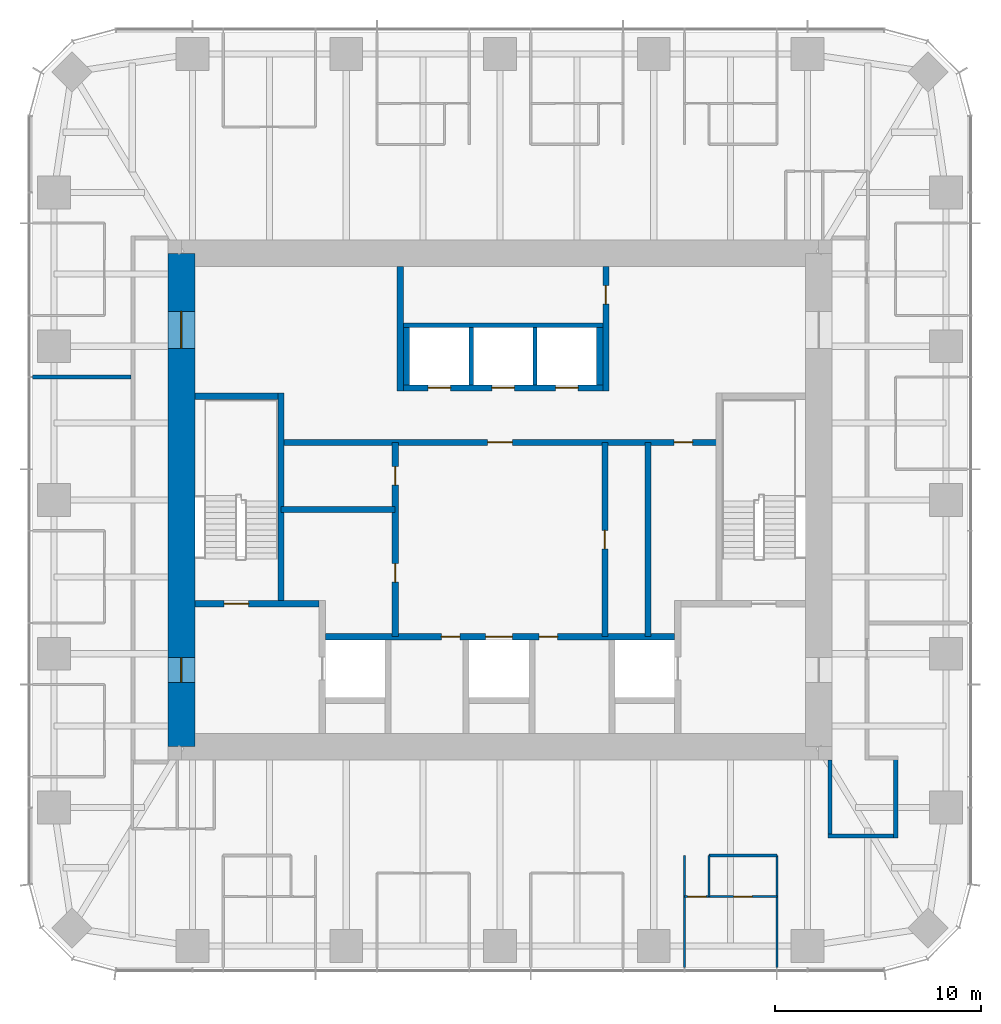
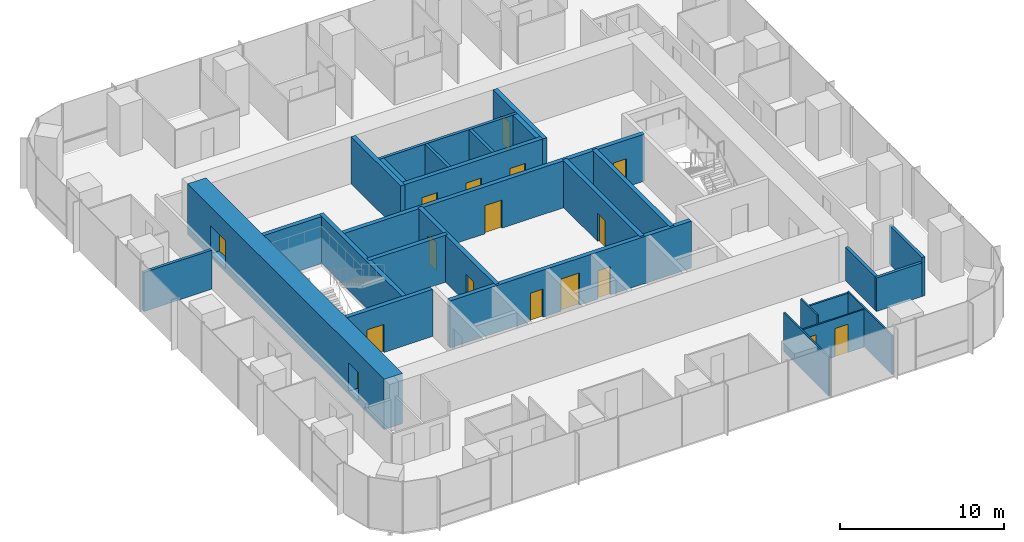
# One storey, part 9 of 12: 27 walls, 17 doors, 17 openings.
"""IFC4 building model written with IfcOpenShell, lengths in metres."""

from ifc_helpers import new_model, si_unit, direction, frame, frame_2d, origin, place, context, subcontext, project, spatial, rectangle, extrude, material, layer, layer_set, type_object, element, fill, save


model = new_model("IFC4")

# Units and contexts
model_context = context("Model", 3, precision=1e-05, world=origin(), true_north=direction((0.0, 1.0)))
body_context = subcontext(model_context, "Body", "Model", "MODEL_VIEW")
ifc_project = project(units=[si_unit("LENGTHUNIT", "METRE"), si_unit("AREAUNIT", "SQUARE_METRE"), si_unit("VOLUMEUNIT", "CUBIC_METRE"), si_unit("PLANEANGLEUNIT", "RADIAN"), si_unit("MASSUNIT", "GRAM", prefix="KILO")], contexts=[model_context])

# Site, building, storey
site_placement = place(None, origin())
site = spatial("IfcSite", under=ifc_project, at=site_placement, CompositionType="ELEMENT")
building_placement = place(site_placement, origin())
building = spatial("IfcBuilding", under=site, at=building_placement, Name="Khuree Lantern Residences", CompositionType="ELEMENT")
storey_placement = place(building_placement, frame((0.0, 0.0, 345.75)))
storey = spatial("IfcBuildingStorey", under=building, at=storey_placement, Name="L87", CompositionType="ELEMENT", Elevation=345.75)

# Wall
ifc_material_1 = material(Name="Moisture-resistant gypsum board on steel studs", Category="steel")
ifc_layer_1 = layer(ifc_material_1, 0.125)
ifc_layer_set_1 = layer_set([ifc_layer_1], Name="BATHROOM WALL BTW125")
wall_type_1 = type_object("IfcWallType", Name="BATHROOM WALL BTW125", PredefinedType="PARTITIONING", material=ifc_layer_set_1)
wall_1_placement = place(storey_placement, frame((10.176025390625, -17.29638671875, 0.0), z_axis=(0.0, 0.0, 1.0), x_axis=(1.0, 0.0, 0.0)))
element("IfcWall", 1, at=wall_1_placement, inside=storey, type_object=wall_type_1, Name="L87 BATHROOM WALL 02", PredefinedType="PARTITIONING", context=body_context, shape_type="SweptSolid", body=[
    extrude(rectangle(XDim=3.2880859375, YDim=0.125, at=frame_2d((1.64404296875, 0.0))), origin(), (0.0, 0.0, 1.0), 2.81005859375),
])

# Wall, openings, doors
ifc_material_2 = material(Name="Dense concrete blockwork", Category="masonry")
ifc_layer_2 = layer(ifc_material_2, 0.300048828125)
ifc_layer_set_2 = layer_set([ifc_layer_2], Name="CORE PARTITION WALL CPW300 EI 120")
wall_type_2 = type_object("IfcWallType", Name="CORE PARTITION WALL CPW300 EI 120", PredefinedType="PARTITIONING", material=ifc_layer_set_2)
wall_2_placement = place(storey_placement, frame((-8.5, -6.64990234375, 0.0), z_axis=(0.0, 0.0, 1.0), x_axis=(1.0, 0.0, 0.0)))
wall_2 = element("IfcWall", 2, at=wall_2_placement, inside=storey, type_object=wall_type_2, Name="L87 CORE WALL FLROW", PredefinedType="PARTITIONING", context=body_context, shape_type="SweptSolid", body=[
    extrude(rectangle(XDim=17.0, YDim=0.300048828125, at=frame_2d((8.5, 0.0))), origin(), (0.0, 0.0, 1.0), 3.5),
])
opening_1_placement = place(wall_2_placement, frame((7.800048828125, 0.0, 0.0)))
opening_1 = element("IfcOpeningElement", 3, at=opening_1_placement, cuts=wall_2, Name="Opening 87-012", PredefinedType="OPENING", context=body_context, shape_type="SweptSolid", body=[
    extrude(rectangle(XDim=1.300048828125, YDim=2.39990234375, at=frame_2d((0.64990234375, 1.199951171875))), frame((0.0, 0.16015625, 0.0), z_axis=(0.0, -1.0, 0.0), x_axis=(1.0, 0.0, 0.0)), (0.0, 0.0, 1.0), 0.320068359375),
])
opening_2_placement = place(wall_2_placement, frame((5.64990234375, 0.0, 0.0)))
opening_2 = element("IfcOpeningElement", 4, at=opening_2_placement, cuts=wall_2, Name="Opening 87-014", PredefinedType="OPENING", context=body_context, shape_type="SweptSolid", body=[
    extrude(rectangle(XDim=0.89990234375, YDim=2.10009765625, at=frame_2d((0.449951171875, 1.050048828125))), frame((0.0, 0.16015625, 0.0), z_axis=(0.0, -1.0, 0.0), x_axis=(1.0, 0.0, 0.0)), (0.0, 0.0, 1.0), 0.320068359375),
])
opening_3_placement = place(wall_2_placement, frame((10.39990234375, 0.0, 0.0)))
opening_3 = element("IfcOpeningElement", 5, at=opening_3_placement, cuts=wall_2, Name="Opening 87-015", PredefinedType="OPENING", context=body_context, shape_type="SweptSolid", body=[
    extrude(rectangle(XDim=0.89990234375, YDim=2.10009765625, at=frame_2d((0.449951171875, 1.050048828125))), frame((0.0, 0.16015625, 0.0), z_axis=(0.0, -1.0, 0.0), x_axis=(1.0, 0.0, 0.0)), (0.0, 0.0, 1.0), 0.320068359375),
])
ifc_material_3 = material(Name="Steel door leaf in steel frame", Category="steel")
door_type_1 = type_object("IfcDoorType", Name="DOOR 900X2100 EI 60", OperationType="SINGLE_SWING_LEFT", PredefinedType="DOOR", material=ifc_material_3)
door_1_placement = place(opening_2_placement, origin())
door_1 = element("IfcDoor", 6, at=door_1_placement, inside=storey, type_object=door_type_1, Name="Refuse chute room door 87-014", OperationType="SINGLE_SWING_LEFT", OverallHeight=2.10009765625, OverallWidth=0.89990234375, PredefinedType="DOOR", context=body_context, shape_type="SweptSolid", body=[
    extrude(rectangle(XDim=0.89990234375, YDim=2.10009765625, at=frame_2d((0.449951171875, 1.050048828125))), frame((0.0, 0.02490234375, 0.0), z_axis=(0.0, -1.0, 0.0), x_axis=(1.0, 0.0, 0.0)), (0.0, 0.0, 1.0), 0.050048828125),
])
fill(opening_2, door_1)
door_type_2 = type_object("IfcDoorType", Name="DOOR 900X2100 EI 60 RIGHT HAND", OperationType="SINGLE_SWING_RIGHT", PredefinedType="DOOR", material=ifc_material_3)
door_2_placement = place(opening_3_placement, origin())
door_2 = element("IfcDoor", 7, at=door_2_placement, inside=storey, type_object=door_type_2, Name="Electrical and plumbing riser door 87-015", OperationType="SINGLE_SWING_RIGHT", OverallHeight=2.10009765625, OverallWidth=0.89990234375, PredefinedType="DOOR", context=body_context, shape_type="SweptSolid", body=[
    extrude(rectangle(XDim=0.89990234375, YDim=2.10009765625, at=frame_2d((0.449951171875, 1.050048828125))), frame((0.0, 0.02490234375, 0.0), z_axis=(0.0, -1.0, 0.0), x_axis=(1.0, 0.0, 0.0)), (0.0, 0.0, 1.0), 0.050048828125),
])
fill(opening_3, door_2)
ifc_material_4 = material(Name="Stainless steel lift landing door", Category="steel")
door_type_3 = type_object("IfcDoorType", Name="LIFT LANDING DOOR 1300X2400 E 60", OperationType="DOUBLE_DOOR_SLIDING", PredefinedType="DOOR", material=ifc_material_4)
door_3_placement = place(opening_1_placement, origin())
door_3 = element("IfcDoor", 8, at=door_3_placement, inside=storey, type_object=door_type_3, Name="Landing door SL1 87-012", OperationType="DOUBLE_DOOR_SLIDING", OverallHeight=2.39990234375, OverallWidth=1.300048828125, PredefinedType="DOOR", context=body_context, shape_type="SweptSolid", body=[
    extrude(rectangle(XDim=1.300048828125, YDim=2.39990234375, at=frame_2d((0.64990234375, 1.199951171875))), frame((0.0, 0.02490234375, 0.0), z_axis=(0.0, -1.0, 0.0), x_axis=(1.0, 0.0, 0.0)), (0.0, 0.0, 1.0), 0.050048828125),
])
fill(opening_1, door_3)

wall_3_placement = place(storey_placement, frame((-4.699951171875, 5.449951171875, 0.0), z_axis=(0.0, 0.0, 1.0), x_axis=(1.0, 0.0, 0.0)))
wall_3 = element("IfcWall", 9, at=wall_3_placement, inside=storey, type_object=wall_type_2, Name="L87 CORE WALL PHS", PredefinedType="PARTITIONING", context=body_context, shape_type="SweptSolid", body=[
    extrude(rectangle(XDim=9.699951171875, YDim=0.300048828125, at=frame_2d((4.85009765625, 0.0))), origin(), (0.0, 0.0, 1.0), 3.5),
])
opening_4_placement = place(wall_3_placement, frame((1.199951171875, 0.0, 0.0)))
opening_4 = element("IfcOpeningElement", 10, at=opening_4_placement, cuts=wall_3, Name="Opening 87-009", PredefinedType="OPENING", context=body_context, shape_type="SweptSolid", body=[
    extrude(rectangle(XDim=1.10009765625, YDim=2.10009765625, at=frame_2d((0.550048828125, 1.050048828125))), frame((0.0, 0.16015625, 0.0), z_axis=(0.0, -1.0, 0.0), x_axis=(1.0, 0.0, 0.0)), (0.0, 0.0, 1.0), 0.320068359375),
])
opening_5_placement = place(wall_3_placement, frame((4.300048828125, 0.0, 0.0)))
opening_5 = element("IfcOpeningElement", 11, at=opening_5_placement, cuts=wall_3, Name="Opening 87-010", PredefinedType="OPENING", context=body_context, shape_type="SweptSolid", body=[
    extrude(rectangle(XDim=1.10009765625, YDim=2.10009765625, at=frame_2d((0.550048828125, 1.050048828125))), frame((0.0, 0.16015625, 0.0), z_axis=(0.0, -1.0, 0.0), x_axis=(1.0, 0.0, 0.0)), (0.0, 0.0, 1.0), 0.320068359375),
])
opening_6_placement = place(wall_3_placement, frame((7.39990234375, 0.0, 0.0)))
opening_6 = element("IfcOpeningElement", 12, at=opening_6_placement, cuts=wall_3, Name="Opening 87-011", PredefinedType="OPENING", context=body_context, shape_type="SweptSolid", body=[
    extrude(rectangle(XDim=1.10009765625, YDim=2.10009765625, at=frame_2d((0.550048828125, 1.050048828125))), frame((0.0, 0.16015625, 0.0), z_axis=(0.0, -1.0, 0.0), x_axis=(1.0, 0.0, 0.0)), (0.0, 0.0, 1.0), 0.320068359375),
])
door_type_4 = type_object("IfcDoorType", Name="LIFT LANDING DOOR 1100X2100 E 60", OperationType="DOUBLE_DOOR_SLIDING", PredefinedType="DOOR", material=ifc_material_4)
door_4_placement = place(opening_4_placement, origin())
door_4 = element("IfcDoor", 13, at=door_4_placement, inside=storey, type_object=door_type_4, Name="Landing door PH1 87-009", OperationType="DOUBLE_DOOR_SLIDING", OverallHeight=2.10009765625, OverallWidth=1.10009765625, PredefinedType="DOOR", context=body_context, shape_type="SweptSolid", body=[
    extrude(rectangle(XDim=1.10009765625, YDim=2.10009765625, at=frame_2d((0.550048828125, 1.050048828125))), frame((0.0, 0.02490234375, 0.0), z_axis=(0.0, -1.0, 0.0), x_axis=(1.0, 0.0, 0.0)), (0.0, 0.0, 1.0), 0.050048828125),
])
fill(opening_4, door_4)
door_5_placement = place(opening_5_placement, origin())
door_5 = element("IfcDoor", 14, at=door_5_placement, inside=storey, type_object=door_type_4, Name="Landing door PH2 87-010", OperationType="DOUBLE_DOOR_SLIDING", OverallHeight=2.10009765625, OverallWidth=1.10009765625, PredefinedType="DOOR", context=body_context, shape_type="SweptSolid", body=[
    extrude(rectangle(XDim=1.10009765625, YDim=2.10009765625, at=frame_2d((0.550048828125, 1.050048828125))), frame((0.0, 0.02490234375, 0.0), z_axis=(0.0, -1.0, 0.0), x_axis=(1.0, 0.0, 0.0)), (0.0, 0.0, 1.0), 0.050048828125),
])
fill(opening_5, door_5)
door_6_placement = place(opening_6_placement, origin())
door_6 = element("IfcDoor", 15, at=door_6_placement, inside=storey, type_object=door_type_4, Name="Landing door PH3 87-011", OperationType="DOUBLE_DOOR_SLIDING", OverallHeight=2.10009765625, OverallWidth=1.10009765625, PredefinedType="DOOR", context=body_context, shape_type="SweptSolid", body=[
    extrude(rectangle(XDim=1.10009765625, YDim=2.10009765625, at=frame_2d((0.550048828125, 1.050048828125))), frame((0.0, 0.02490234375, 0.0), z_axis=(0.0, -1.0, 0.0), x_axis=(1.0, 0.0, 0.0)), (0.0, 0.0, 1.0), 0.050048828125),
])
fill(opening_6, door_6)

# Walls
for number, where, z_axis, x_axis, name in (
    (16, (-4.550048828125, 5.60009765625, 0.0), (0.0, 0.0, 1.0), (0.0, 1.0, 0.0), "L87 CORE WALL PHW"),
    (17, (4.85009765625, 5.60009765625, 0.0), (0.0, 0.0, 1.0), (0.0, 1.0, 0.0), "L87 CORE WALL PHE"),
):
    element("IfcWall", number, at=place(storey_placement, frame(where, z_axis=z_axis, x_axis=x_axis)), inside=storey, type_object=wall_type_2, Name=name, PredefinedType="PARTITIONING", context=body_context, shape_type="SweptSolid", body=[
        extrude(rectangle(XDim=2.7998046875, YDim=0.300048828125, at=frame_2d((1.39990234375, 0.0))), origin(), (0.0, 0.0, 1.0), 3.5),
    ])

# Wall, openings, doors
wall_4_placement = place(storey_placement, frame((-10.64990234375, 2.800048828125, 0.0), z_axis=(0.0, 0.0, 1.0), x_axis=(1.0, 0.0, 0.0)))
wall_4 = element("IfcWall", 18, at=wall_4_placement, inside=storey, type_object=wall_type_2, Name="L87 CORE WALL LLS", PredefinedType="PARTITIONING", context=body_context, shape_type="SweptSolid", body=[
    extrude(rectangle(XDim=21.2998046875, YDim=0.300048828125, at=frame_2d((10.64990234375, 0.0))), origin(), (0.0, 0.0, 1.0), 3.5),
])
opening_7_placement = place(wall_4_placement, frame((10.050048828125, 0.0, 0.0)))
opening_7 = element("IfcOpeningElement", 19, at=opening_7_placement, cuts=wall_4, Name="Opening 87-013", PredefinedType="OPENING", context=body_context, shape_type="SweptSolid", body=[
    extrude(rectangle(XDim=1.199951171875, YDim=2.10009765625, at=frame_2d((0.60009765625, 1.050048828125))), frame((0.0, 0.16015625, 0.0), z_axis=(0.0, -1.0, 0.0), x_axis=(1.0, 0.0, 0.0)), (0.0, 0.0, 1.0), 0.320068359375),
])
opening_8_placement = place(wall_4_placement, frame((19.12109375, 0.0, 0.0)))
opening_8 = element("IfcOpeningElement", 20, at=opening_8_placement, cuts=wall_4, Name="Opening 87-019", PredefinedType="OPENING", context=body_context, shape_type="SweptSolid", body=[
    extrude(rectangle(XDim=0.89990234375, YDim=2.10009765625, at=frame_2d((0.449951171875, 1.050048828125))), frame((0.0, 0.16015625, 0.0), z_axis=(0.0, -1.0, 0.0), x_axis=(1.0, 0.0, 0.0)), (0.0, 0.0, 1.0), 0.320068359375),
])
door_type_5 = type_object("IfcDoorType", Name="DOOR 1200X2100 EI 60", OperationType="SINGLE_SWING_LEFT", PredefinedType="DOOR", material=ifc_material_3)
door_7_placement = place(opening_7_placement, origin())
door_7 = element("IfcDoor", 21, at=door_7_placement, inside=storey, type_object=door_type_5, Name="Service lift lobby door 87-013", OperationType="SINGLE_SWING_LEFT", OverallHeight=2.10009765625, OverallWidth=1.199951171875, PredefinedType="DOOR", context=body_context, shape_type="SweptSolid", body=[
    extrude(rectangle(XDim=1.199951171875, YDim=2.10009765625, at=frame_2d((0.60009765625, 1.050048828125))), frame((0.0, 0.02490234375, 0.0), z_axis=(0.0, -1.0, 0.0), x_axis=(1.0, 0.0, 0.0)), (0.0, 0.0, 1.0), 0.050048828125),
])
fill(opening_7, door_7)
ifc_material_5 = material(Name="Timber door leaf in hardwood frame", Category="wood")
door_type_6 = type_object("IfcDoorType", Name="DOOR 900X2100 RIGHT HAND", OperationType="SINGLE_SWING_RIGHT", PredefinedType="DOOR", material=ifc_material_5)
door_8_placement = place(opening_8_placement, origin())
door_8 = element("IfcDoor", 22, at=door_8_placement, inside=storey, type_object=door_type_6, Name="Residents' store door 87-019", OperationType="SINGLE_SWING_RIGHT", OverallHeight=2.10009765625, OverallWidth=0.89990234375, PredefinedType="DOOR", context=body_context, shape_type="SweptSolid", body=[
    extrude(rectangle(XDim=0.89990234375, YDim=2.10009765625, at=frame_2d((0.449951171875, 1.050048828125))), frame((0.0, 0.02490234375, 0.0), z_axis=(0.0, -1.0, 0.0), x_axis=(1.0, 0.0, 0.0)), (0.0, 0.0, 1.0), 0.050048828125),
])
fill(opening_8, door_8)

wall_5_placement = place(storey_placement, frame((-5.10009765625, -6.64990234375, 0.0), z_axis=(0.0, 0.0, 1.0), x_axis=(0.0, 1.0, 0.0)))
wall_5 = element("IfcWall", 23, at=wall_5_placement, inside=storey, type_object=wall_type_2, Name="L87 CORE WALL SVW", PredefinedType="PARTITIONING", context=body_context, shape_type="SweptSolid", body=[
    extrude(rectangle(XDim=9.449951171875, YDim=0.300048828125, at=frame_2d((4.72509765625, 0.0))), origin(), (0.0, 0.0, 1.0), 3.5),
])
opening_9_placement = place(wall_5_placement, frame((2.64794921875, 0.0, 0.0)))
opening_9 = element("IfcOpeningElement", 24, at=opening_9_placement, cuts=wall_5, Name="Opening 87-016", PredefinedType="OPENING", context=body_context, shape_type="SweptSolid", body=[
    extrude(rectangle(XDim=0.89990234375, YDim=2.10009765625, at=frame_2d((0.449951171875, 1.050048828125))), frame((0.0, 0.16015625, 0.0), z_axis=(0.0, -1.0, 0.0), x_axis=(1.0, 0.0, 0.0)), (0.0, 0.0, 1.0), 0.320068359375),
])
opening_10_placement = place(wall_5_placement, frame((7.373046875, 0.0, 0.0)))
opening_10 = element("IfcOpeningElement", 25, at=opening_10_placement, cuts=wall_5, Name="Opening 87-017", PredefinedType="OPENING", context=body_context, shape_type="SweptSolid", body=[
    extrude(rectangle(XDim=0.89990234375, YDim=2.10009765625, at=frame_2d((0.449951171875, 1.050048828125))), frame((0.0, 0.16015625, 0.0), z_axis=(0.0, -1.0, 0.0), x_axis=(1.0, 0.0, 0.0)), (0.0, 0.0, 1.0), 0.320068359375),
])
door_type_7 = type_object("IfcDoorType", Name="DOOR 900X2100", OperationType="SINGLE_SWING_LEFT", PredefinedType="DOOR", material=ifc_material_5)
door_9_placement = place(opening_9_placement, origin())
door_9 = element("IfcDoor", 26, at=door_9_placement, inside=storey, type_object=door_type_7, Name="Residents' store door 87-016", OperationType="SINGLE_SWING_LEFT", OverallHeight=2.10009765625, OverallWidth=0.89990234375, PredefinedType="DOOR", context=body_context, shape_type="SweptSolid", body=[
    extrude(rectangle(XDim=0.89990234375, YDim=2.10009765625, at=frame_2d((0.449951171875, 1.050048828125))), frame((0.0, 0.02490234375, 0.0), z_axis=(0.0, -1.0, 0.0), x_axis=(1.0, 0.0, 0.0)), (0.0, 0.0, 1.0), 0.050048828125),
])
fill(opening_9, door_9)
door_10_placement = place(opening_10_placement, origin())
door_10 = element("IfcDoor", 27, at=door_10_placement, inside=storey, type_object=door_type_7, Name="Parcel room door 87-017", OperationType="SINGLE_SWING_LEFT", OverallHeight=2.10009765625, OverallWidth=0.89990234375, PredefinedType="DOOR", context=body_context, shape_type="SweptSolid", body=[
    extrude(rectangle(XDim=0.89990234375, YDim=2.10009765625, at=frame_2d((0.449951171875, 1.050048828125))), frame((0.0, 0.02490234375, 0.0), z_axis=(0.0, -1.0, 0.0), x_axis=(1.0, 0.0, 0.0)), (0.0, 0.0, 1.0), 0.050048828125),
])
fill(opening_10, door_10)

# Wall, opening, door
wall_6_placement = place(storey_placement, frame((5.10009765625, -6.64990234375, 0.0), z_axis=(0.0, 0.0, 1.0), x_axis=(0.0, 1.0, 0.0)))
wall_6 = element("IfcWall", 28, at=wall_6_placement, inside=storey, type_object=wall_type_2, Name="L87 CORE WALL SVE", PredefinedType="PARTITIONING", context=body_context, shape_type="SweptSolid", body=[
    extrude(rectangle(XDim=9.449951171875, YDim=0.300048828125, at=frame_2d((4.72509765625, 0.0))), origin(), (0.0, 0.0, 1.0), 3.5),
])
opening_11_placement = place(wall_6_placement, frame((4.27490234375, 0.0, 0.0)))
opening_11 = element("IfcOpeningElement", 29, at=opening_11_placement, cuts=wall_6, Name="Opening 87-018", PredefinedType="OPENING", context=body_context, shape_type="SweptSolid", body=[
    extrude(rectangle(XDim=0.89990234375, YDim=2.10009765625, at=frame_2d((0.449951171875, 1.050048828125))), frame((0.0, 0.16015625, 0.0), z_axis=(0.0, -1.0, 0.0), x_axis=(1.0, 0.0, 0.0)), (0.0, 0.0, 1.0), 0.320068359375),
])
door_11_placement = place(opening_11_placement, origin())
door_11 = element("IfcDoor", 30, at=door_11_placement, inside=storey, type_object=door_type_7, Name="Bulky waste store door 87-018", OperationType="SINGLE_SWING_LEFT", OverallHeight=2.10009765625, OverallWidth=0.89990234375, PredefinedType="DOOR", context=body_context, shape_type="SweptSolid", body=[
    extrude(rectangle(XDim=0.89990234375, YDim=2.10009765625, at=frame_2d((0.449951171875, 1.050048828125))), frame((0.0, 0.02490234375, 0.0), z_axis=(0.0, -1.0, 0.0), x_axis=(1.0, 0.0, 0.0)), (0.0, 0.0, 1.0), 0.050048828125),
])
fill(opening_11, door_11)

# Walls
wall_7_placement = place(storey_placement, frame((-10.64990234375, -0.455078125, 0.0), z_axis=(0.0, 0.0, 1.0), x_axis=(1.0, 0.0, 0.0)))
element("IfcWall", 31, at=wall_7_placement, inside=storey, type_object=wall_type_2, Name="L87 CORE WALL WX", PredefinedType="PARTITIONING", context=body_context, shape_type="SweptSolid", body=[
    extrude(rectangle(XDim=5.5498046875, YDim=0.300048828125, at=frame_2d((2.77490234375, 0.0))), origin(), (0.0, 0.0, 1.0), 3.5),
])
wall_8_placement = place(storey_placement, frame((7.193115234375, -6.64990234375, 0.0), z_axis=(0.0, 0.0, 1.0), x_axis=(0.0, 1.0, 0.0)))
element("IfcWall", 32, at=wall_8_placement, inside=storey, type_object=wall_type_2, Name="L87 CORE WALL EV", PredefinedType="PARTITIONING", context=body_context, shape_type="SweptSolid", body=[
    extrude(rectangle(XDim=9.449951171875, YDim=0.300048828125, at=frame_2d((4.72509765625, 0.0))), origin(), (0.0, 0.0, 1.0), 3.5),
])
wall_9_placement = place(storey_placement, frame((-4.85009765625, 5.300048828125, 0.0), z_axis=(0.0, 0.0, 1.0), x_axis=(0.0, 1.0, 0.0)))
element("IfcWall", 33, at=wall_9_placement, inside=storey, type_object=wall_type_2, Name="L87 CORE WALL NW", PredefinedType="PARTITIONING", context=body_context, shape_type="SweptSolid", body=[
    extrude(rectangle(XDim=6.050048828125, YDim=0.300048828125, at=frame_2d((3.02490234375, 0.0))), origin(), (0.0, 0.0, 1.0), 3.5),
])

# Wall, opening, door
wall_10_placement = place(storey_placement, frame((5.14990234375, 5.300048828125, 0.0), z_axis=(0.0, 0.0, 1.0), x_axis=(0.0, 1.0, 0.0)))
wall_10 = element("IfcWall", 34, at=wall_10_placement, inside=storey, type_object=wall_type_2, Name="L87 CORE WALL NE", PredefinedType="PARTITIONING", context=body_context, shape_type="SweptSolid", body=[
    extrude(rectangle(XDim=6.050048828125, YDim=0.300048828125, at=frame_2d((3.02490234375, 0.0))), origin(), (0.0, 0.0, 1.0), 3.5),
])
opening_12_placement = place(wall_10_placement, frame((4.22509765625, 0.0, 0.0)))
opening_12 = element("IfcOpeningElement", 35, at=opening_12_placement, cuts=wall_10, Name="Opening 87-020", PredefinedType="OPENING", context=body_context, shape_type="SweptSolid", body=[
    extrude(rectangle(XDim=0.89990234375, YDim=2.10009765625, at=frame_2d((0.449951171875, 1.050048828125))), frame((0.0, 0.16015625, 0.0), z_axis=(0.0, -1.0, 0.0), x_axis=(1.0, 0.0, 0.0)), (0.0, 0.0, 1.0), 0.320068359375),
])
door_12_placement = place(opening_12_placement, origin())
door_12 = element("IfcDoor", 36, at=door_12_placement, inside=storey, type_object=door_type_7, Name="Residents' store door 87-020", OperationType="SINGLE_SWING_LEFT", OverallHeight=2.10009765625, OverallWidth=0.89990234375, PredefinedType="DOOR", context=body_context, shape_type="SweptSolid", body=[
    extrude(rectangle(XDim=0.89990234375, YDim=2.10009765625, at=frame_2d((0.449951171875, 1.050048828125))), frame((0.0, 0.02490234375, 0.0), z_axis=(0.0, -1.0, 0.0), x_axis=(1.0, 0.0, 0.0)), (0.0, 0.0, 1.0), 0.050048828125),
])
fill(opening_12, door_12)

# Walls
ifc_material_6 = material(Name="Gypsum board on steel studs", Category="steel")
ifc_layer_3 = layer(ifc_material_6, 0.199951171875)
ifc_layer_set_3 = layer_set([ifc_layer_3], Name="CORRIDOR WALL CRW200 EI 60")
wall_type_3 = type_object("IfcWallType", Name="CORRIDOR WALL CRW200 EI 60", PredefinedType="PARTITIONING", material=ifc_layer_set_3)
wall_11_placement = place(storey_placement, frame((19.25, -12.449951171875, 0.0), z_axis=(0.0, 0.0, 1.0), x_axis=(0.0, -1.0, 0.0)))
element("IfcWall", 37, at=wall_11_placement, inside=storey, type_object=wall_type_3, Name="L87 RESIDENTS LOUNGE WALL", PredefinedType="PARTITIONING", context=body_context, shape_type="SweptSolid", body=[
    extrude(rectangle(XDim=4.0, YDim=0.199951171875, at=frame_2d((2.0, 0.0))), origin(), (0.0, 0.0, 1.0), 2.89990234375),
])
wall_12_placement = place(storey_placement, frame((19.14990234375, -16.35009765625, 0.0), z_axis=(0.0, 0.0, 1.0), x_axis=(-1.0, 0.0, 0.0)))
element("IfcWall", 38, at=wall_12_placement, inside=storey, type_object=wall_type_3, Name="L87 RESIDENTS LOUNGE WALL", PredefinedType="PARTITIONING", context=body_context, shape_type="SweptSolid", body=[
    extrude(rectangle(XDim=3.199951171875, YDim=0.199951171875, at=frame_2d((1.60009765625, 0.0))), origin(), (0.0, 0.0, 1.0), 2.5),
])
wall_13_placement = place(storey_placement, frame((16.050048828125, -16.449951171875, 0.0), z_axis=(0.0, 0.0, 1.0), x_axis=(0.0, 1.0, 0.0)))
element("IfcWall", 39, at=wall_13_placement, inside=storey, type_object=wall_type_3, Name="L87 RESIDENTS LOUNGE WALL", PredefinedType="PARTITIONING", context=body_context, shape_type="SweptSolid", body=[
    extrude(rectangle(XDim=3.800048828125, YDim=0.199951171875, at=frame_2d((1.89990234375, 0.0))), origin(), (0.0, 0.0, 1.0), 2.5),
])

# Wall, openings, doors
ifc_material_7 = material(Name="Concrete C50/60", Category="concrete")
ifc_layer_4 = layer(ifc_material_7, 1.300048828125)
ifc_layer_set_4 = layer_set([ifc_layer_4], Name="CW1300-C50 CORE WALL C50 1300")
wall_type_4 = type_object("IfcWallType", Name="CW1300-C50 CORE WALL C50 1300", PredefinedType="SHEAR", material=ifc_layer_set_4)
wall_14_placement = place(storey_placement, frame((-15.5, -12.0, -0.25), z_axis=(0.0, 0.0, 1.0), x_axis=(0.0, 1.0, 0.0)))
wall_14 = element("IfcWall", 40, at=wall_14_placement, inside=storey, type_object=wall_type_4, Name="Core wall W", PredefinedType="SHEAR", context=body_context, shape_type="SweptSolid", body=[
    extrude(rectangle(XDim=24.0, YDim=1.300048828125, at=frame_2d((12.0, 0.0))), origin(), (0.0, 0.0, 1.0), 3.75),
])
opening_13_placement = place(wall_14_placement, frame((3.125, 0.0, 0.25)))
opening_13 = element("IfcOpeningElement", 41, at=opening_13_placement, cuts=wall_14, Name="Opening 87-002", PredefinedType="OPENING", context=body_context, shape_type="SweptSolid", body=[
    extrude(rectangle(XDim=1.199951171875, YDim=2.10009765625, at=frame_2d((0.60009765625, 1.050048828125))), frame((0.0, 0.66015625, 0.0), z_axis=(0.0, -1.0, 0.0), x_axis=(1.0, 0.0, 0.0)), (0.0, 0.0, 1.0), 1.320068359375),
])
opening_14_placement = place(wall_14_placement, frame((19.375, 0.0, 0.25)))
opening_14 = element("IfcOpeningElement", 42, at=opening_14_placement, cuts=wall_14, Name="Opening 87-003", PredefinedType="OPENING", context=body_context, shape_type="SweptSolid", body=[
    extrude(rectangle(XDim=1.800048828125, YDim=2.10009765625, at=frame_2d((0.89990234375, 1.050048828125))), frame((0.0, 0.66015625, 0.0), z_axis=(0.0, -1.0, 0.0), x_axis=(1.0, 0.0, 0.0)), (0.0, 0.0, 1.0), 1.320068359375),
])
door_type_8 = type_object("IfcDoorType", Name="LOBBY DOOR 1200X2100 EI 120", OperationType="SINGLE_SWING_LEFT", PredefinedType="DOOR", material=ifc_material_3)
door_13_placement = place(opening_13_placement, origin())
door_13 = element("IfcDoor", 43, at=door_13_placement, inside=storey, type_object=door_type_8, Name="Firefighting lobby door 87-002", OperationType="SINGLE_SWING_LEFT", OverallHeight=2.10009765625, OverallWidth=1.199951171875, PredefinedType="DOOR", context=body_context, shape_type="SweptSolid", body=[
    extrude(rectangle(XDim=1.199951171875, YDim=2.10009765625, at=frame_2d((0.60009765625, 1.050048828125))), frame((0.0, 0.02490234375, 0.0), z_axis=(0.0, -1.0, 0.0), x_axis=(1.0, 0.0, 0.0)), (0.0, 0.0, 1.0), 0.050048828125),
])
fill(opening_13, door_13)
door_type_9 = type_object("IfcDoorType", Name="LOBBY DOUBLE DOOR 1800X2100 EI 60", OperationType="DOUBLE_DOOR_SINGLE_SWING", PredefinedType="DOOR", material=ifc_material_3)
door_14_placement = place(opening_14_placement, origin())
door_14 = element("IfcDoor", 44, at=door_14_placement, inside=storey, type_object=door_type_9, Name="Lift lobby door 87-003", OperationType="DOUBLE_DOOR_SINGLE_SWING", OverallHeight=2.10009765625, OverallWidth=1.800048828125, PredefinedType="DOOR", context=body_context, shape_type="SweptSolid", body=[
    extrude(rectangle(XDim=1.800048828125, YDim=2.10009765625, at=frame_2d((0.89990234375, 1.050048828125))), frame((0.0, 0.02490234375, 0.0), z_axis=(0.0, -1.0, 0.0), x_axis=(1.0, 0.0, 0.0)), (0.0, 0.0, 1.0), 0.050048828125),
])
fill(opening_14, door_14)

# Walls
ifc_layer_5 = layer(ifc_material_6, 0.199951171875)
ifc_layer_set_5 = layer_set([ifc_layer_5], Name="DEMISING WALL DMW200 EI 90")
wall_type_5 = type_object("IfcWallType", Name="DEMISING WALL DMW200 EI 90", PredefinedType="PARTITIONING", material=ifc_layer_set_5)
wall_15_placement = place(storey_placement, frame((-17.949951171875, 5.98388671875, 0.0), z_axis=(0.0, 0.0, 1.0), x_axis=(-1.0, 0.0, 0.0)))
element("IfcWall", 45, at=wall_15_placement, inside=storey, type_object=wall_type_5, Name="L87 DEMISING WALL 02", PredefinedType="PARTITIONING", context=body_context, shape_type="SweptSolid", body=[
    extrude(rectangle(XDim=4.800048828125, YDim=0.199951171875, at=frame_2d((2.39990234375, 0.0))), origin(), (0.0, 0.0, 1.0), 2.909912109375),
])
ifc_layer_6 = layer(ifc_material_6, 0.10009765625)
ifc_layer_set_6 = layer_set([ifc_layer_6], Name="PARTITION PT100")
wall_type_6 = type_object("IfcWallType", Name="PARTITION PT100", PredefinedType="PARTITIONING", material=ifc_layer_set_6)
for number, where, z_axis, x_axis, name in (
    (46, (8.97607421875, -17.29638671875, 0.0), (0.0, 0.0, 1.0), (0.0, -1.0, 0.0), "L87 PARTITION 02"),
    (47, (13.464111328125, -17.29638671875, 0.0), (0.0, 0.0, 1.0), (0.0, -1.0, 0.0), "L87 PARTITION 02"),
):
    element("IfcWall", number, at=place(storey_placement, frame(where, z_axis=z_axis, x_axis=x_axis)), inside=storey, type_object=wall_type_6, Name=name, PredefinedType="PARTITIONING", context=body_context, shape_type="SweptSolid", body=[
        extrude(rectangle(XDim=5.45361328125, YDim=0.10009765625, at=frame_2d((2.726806640625, 0.0))), origin(), (0.0, 0.0, 1.0), 2.909912109375),
    ])

# Wall, openings, doors
wall_16_placement = place(storey_placement, frame((8.97607421875, -19.29638671875, 0.0), z_axis=(0.0, 0.0, 1.0), x_axis=(1.0, 0.0, 0.0)))
wall_16 = element("IfcWall", 48, at=wall_16_placement, inside=storey, type_object=wall_type_6, Name="L87 PARTITION 02", PredefinedType="PARTITIONING", context=body_context, shape_type="SweptSolid", body=[
    extrude(rectangle(XDim=4.488037109375, YDim=0.10009765625, at=frame_2d((2.244140625, 0.0))), origin(), (0.0, 0.0, 1.0), 2.81005859375),
])
opening_15_placement = place(wall_16_placement, frame((0.14990234375, 0.0, 0.0)))
opening_15 = element("IfcOpeningElement", 49, at=opening_15_placement, cuts=wall_16, Name="Opening 87-040", PredefinedType="OPENING", context=body_context, shape_type="SweptSolid", body=[
    extrude(rectangle(XDim=0.89990234375, YDim=2.10009765625, at=frame_2d((0.449951171875, 1.050048828125))), frame((0.0, 0.06005859375, 0.0), z_axis=(0.0, -1.0, 0.0), x_axis=(1.0, 0.0, 0.0)), (0.0, 0.0, 1.0), 0.1201171875),
])
opening_16_placement = place(wall_16_placement, frame((2.39404296875, 0.0, 0.0)))
opening_16 = element("IfcOpeningElement", 50, at=opening_16_placement, cuts=wall_16, Name="Opening 87-041", PredefinedType="OPENING", context=body_context, shape_type="SweptSolid", body=[
    extrude(rectangle(XDim=0.89990234375, YDim=2.10009765625, at=frame_2d((0.449951171875, 1.050048828125))), frame((0.0, 0.06005859375, 0.0), z_axis=(0.0, -1.0, 0.0), x_axis=(1.0, 0.0, 0.0)), (0.0, 0.0, 1.0), 0.1201171875),
])
door_type_10 = type_object("IfcDoorType", Name="BATHROOM DOOR 900X2100", OperationType="SINGLE_SWING_LEFT", PredefinedType="DOOR", material=ifc_material_5)
door_15_placement = place(opening_16_placement, origin())
door_15 = element("IfcDoor", 51, at=door_15_placement, inside=storey, type_object=door_type_10, Name="Bathroom door 87-041", OperationType="SINGLE_SWING_LEFT", OverallHeight=2.10009765625, OverallWidth=0.89990234375, PredefinedType="DOOR", context=body_context, shape_type="SweptSolid", body=[
    extrude(rectangle(XDim=0.89990234375, YDim=2.10009765625, at=frame_2d((0.449951171875, 1.050048828125))), frame((0.0, 0.02490234375, 0.0), z_axis=(0.0, -1.0, 0.0), x_axis=(1.0, 0.0, 0.0)), (0.0, 0.0, 1.0), 0.050048828125),
])
fill(opening_16, door_15)
door_type_11 = type_object("IfcDoorType", Name="BEDROOM DOOR 900X2100", OperationType="SINGLE_SWING_LEFT", PredefinedType="DOOR", material=ifc_material_5)
door_16_placement = place(opening_15_placement, origin())
door_16 = element("IfcDoor", 52, at=door_16_placement, inside=storey, type_object=door_type_11, Name="Bedroom door 87-040", OperationType="SINGLE_SWING_LEFT", OverallHeight=2.10009765625, OverallWidth=0.89990234375, PredefinedType="DOOR", context=body_context, shape_type="SweptSolid", body=[
    extrude(rectangle(XDim=0.89990234375, YDim=2.10009765625, at=frame_2d((0.449951171875, 1.050048828125))), frame((0.0, 0.02490234375, 0.0), z_axis=(0.0, -1.0, 0.0), x_axis=(1.0, 0.0, 0.0)), (0.0, 0.0, 1.0), 0.050048828125),
])
fill(opening_15, door_16)

# Walls
wall_17_placement = place(storey_placement, frame((10.176025390625, -17.29638671875, 0.0), z_axis=(0.0, 0.0, 1.0), x_axis=(0.0, -1.0, 0.0)))
element("IfcWall", 53, at=wall_17_placement, inside=storey, type_object=wall_type_6, Name="L87 PARTITION 02", PredefinedType="PARTITIONING", context=body_context, shape_type="SweptSolid", body=[
    extrude(rectangle(XDim=2.0, YDim=0.10009765625, at=frame_2d((1.0, 0.0))), origin(), (0.0, 0.0, 1.0), 3.5),
])
ifc_layer_7 = layer(ifc_material_2, 0.199951171875)
ifc_layer_set_7 = layer_set([ifc_layer_7], Name="SHAFT WALL SHW200 EI 120")
wall_type_7 = type_object("IfcWallType", Name="SHAFT WALL SHW200 EI 120", PredefinedType="PARTITIONING", material=ifc_layer_set_7)
wall_18_placement = place(storey_placement, frame((-4.699951171875, 8.5, 0.0), z_axis=(0.0, 0.0, 1.0), x_axis=(1.0, 0.0, 0.0)))
element("IfcWall", 54, at=wall_18_placement, inside=storey, type_object=wall_type_7, Name="L87 CORE WALL PHN", PredefinedType="PARTITIONING", context=body_context, shape_type="SweptSolid", body=[
    extrude(rectangle(XDim=9.699951171875, YDim=0.199951171875, at=frame_2d((4.85009765625, 0.0))), origin(), (0.0, 0.0, 1.0), 3.5),
])
for number, where, z_axis, x_axis, name in (
    (55, (-1.39990234375, 5.60009765625, 0.0), (0.0, 0.0, 1.0), (0.0, 1.0, 0.0), "L87 CORE WALL PHD1"),
    (56, (1.699951171875, 5.60009765625, 0.0), (0.0, 0.0, 1.0), (0.0, 1.0, 0.0), "L87 CORE WALL PHD2"),
):
    element("IfcWall", number, at=place(storey_placement, frame(where, z_axis=z_axis, x_axis=x_axis)), inside=storey, type_object=wall_type_7, Name=name, PredefinedType="PARTITIONING", context=body_context, shape_type="SweptSolid", body=[
        extrude(rectangle(XDim=2.7998046875, YDim=0.199951171875, at=frame_2d((1.39990234375, 0.0))), origin(), (0.0, 0.0, 1.0), 3.5),
    ])
ifc_layer_8 = layer(ifc_material_7, 0.300048828125)
ifc_layer_set_8 = layer_set([ifc_layer_8], Name="STAIR WALL SRW300 C50/60 REI 240")
wall_type_8 = type_object("IfcWallType", Name="STAIR WALL SRW300 C50/60 REI 240", PredefinedType="SOLIDWALL", material=ifc_layer_set_8)
wall_19_placement = place(storey_placement, frame((-10.64990234375, -4.89990234375, 0.0), z_axis=(0.0, 0.0, 1.0), x_axis=(0.0, 1.0, 0.0)))
element("IfcWall", 57, at=wall_19_placement, inside=storey, type_object=wall_type_8, Name="L87 STAIR WALL ST1E", PredefinedType="SOLIDWALL", context=body_context, shape_type="SweptSolid", body=[
    extrude(rectangle(XDim=10.099853515625, YDim=0.300048828125, at=frame_2d((5.0498046875, 0.0))), origin(), (0.0, 0.0, 1.0), 3.5),
])

# Wall, opening, door
wall_20_placement = place(storey_placement, frame((-14.85009765625, -5.050048828125, 0.0), z_axis=(0.0, 0.0, 1.0), x_axis=(1.0, 0.0, 0.0)))
wall_20 = element("IfcWall", 58, at=wall_20_placement, inside=storey, type_object=wall_type_8, Name="L87 STAIR WALL ST1S", PredefinedType="SOLIDWALL", context=body_context, shape_type="SweptSolid", body=[
    extrude(rectangle(XDim=6.050048828125, YDim=0.300048828125, at=frame_2d((3.02490234375, 0.0))), origin(), (0.0, 0.0, 1.0), 3.5),
])
opening_17_placement = place(wall_20_placement, frame((1.425048828125, 0.0, 0.0)))
opening_17 = element("IfcOpeningElement", 59, at=opening_17_placement, cuts=wall_20, Name="Opening 87-001", PredefinedType="OPENING", context=body_context, shape_type="SweptSolid", body=[
    extrude(rectangle(XDim=1.199951171875, YDim=2.10009765625, at=frame_2d((0.60009765625, 1.050048828125))), frame((0.0, 0.16015625, 0.0), z_axis=(0.0, -1.0, 0.0), x_axis=(1.0, 0.0, 0.0)), (0.0, 0.0, 1.0), 0.320068359375),
])
door_type_12 = type_object("IfcDoorType", Name="STAIR DOOR 1200X2100 EI 120", OperationType="SINGLE_SWING_LEFT", PredefinedType="DOOR", material=ifc_material_3)
door_17_placement = place(opening_17_placement, origin())
door_17 = element("IfcDoor", 60, at=door_17_placement, inside=storey, type_object=door_type_12, Name="Stair ST1 door 87-001", OperationType="SINGLE_SWING_LEFT", OverallHeight=2.10009765625, OverallWidth=1.199951171875, PredefinedType="DOOR", context=body_context, shape_type="SweptSolid", body=[
    extrude(rectangle(XDim=1.199951171875, YDim=2.10009765625, at=frame_2d((0.60009765625, 1.050048828125))), frame((0.0, 0.02490234375, 0.0), z_axis=(0.0, -1.0, 0.0), x_axis=(1.0, 0.0, 0.0)), (0.0, 0.0, 1.0), 0.050048828125),
])
fill(opening_17, door_17)

# Wall
wall_21_placement = place(storey_placement, frame((-14.85009765625, 5.050048828125, 0.0), z_axis=(0.0, 0.0, 1.0), x_axis=(1.0, 0.0, 0.0)))
element("IfcWall", 61, at=wall_21_placement, inside=storey, type_object=wall_type_8, Name="L87 STAIR WALL ST1N", PredefinedType="SOLIDWALL", context=body_context, shape_type="SweptSolid", body=[
    extrude(rectangle(XDim=4.050048828125, YDim=0.300048828125, at=frame_2d((2.02490234375, 0.0))), origin(), (0.0, 0.0, 1.0), 3.5),
])

save(model, "model.ifc")
